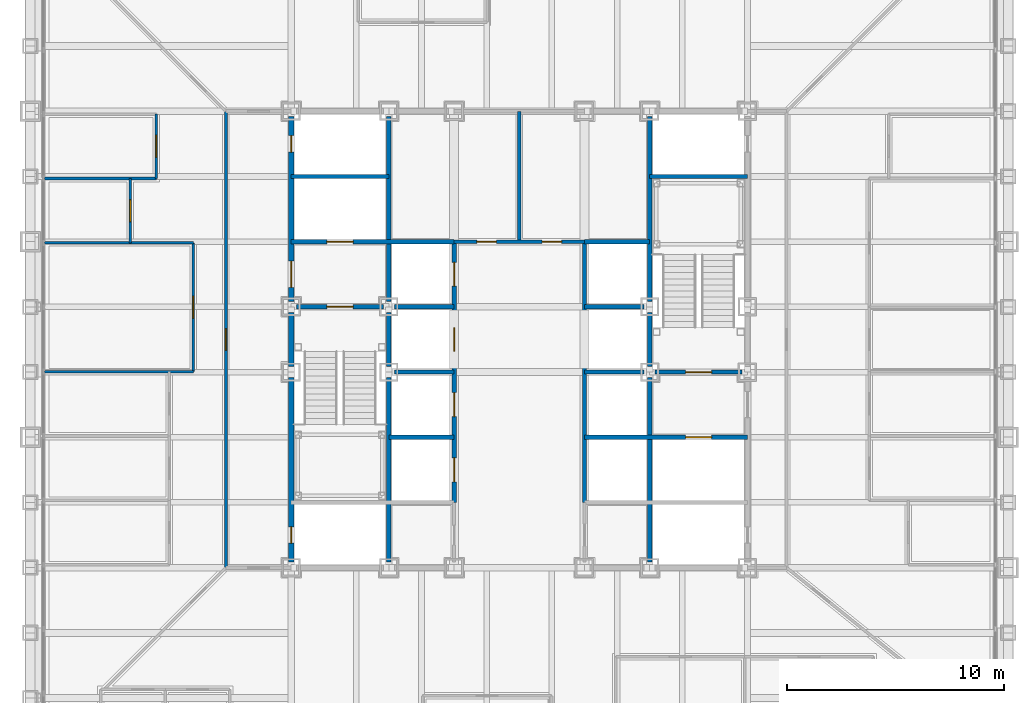
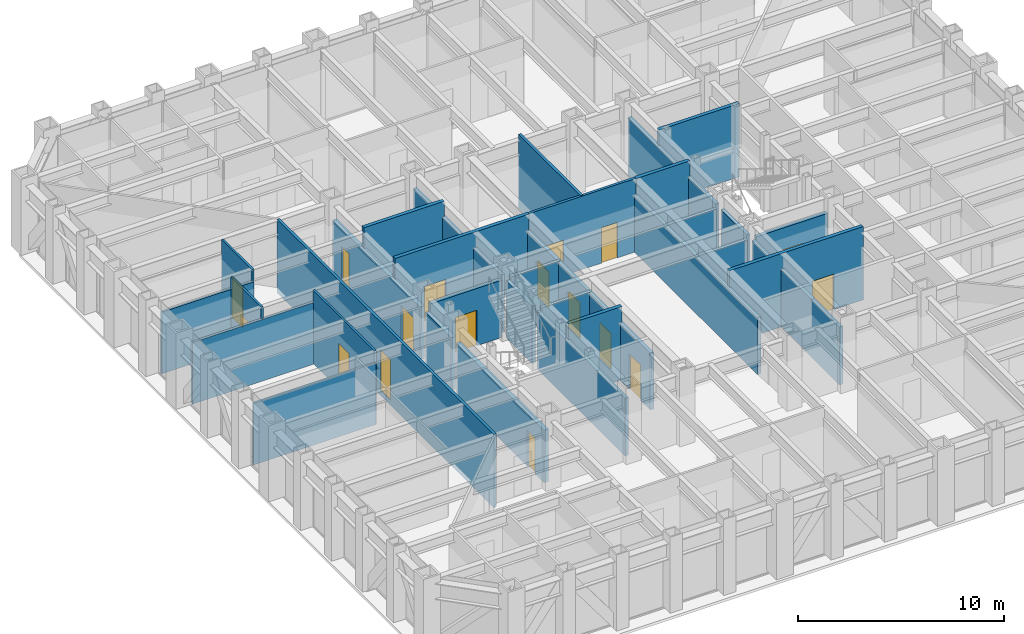
# One storey, part 9 of 17: 32 walls, 17 doors, 17 openings.
"""IFC4 building model written with IfcOpenShell, lengths in metres."""

from ifc_helpers import new_model, si_unit, direction, frame, frame_2d, origin, place, context, subcontext, project, spatial, rectangle, extrude, material, layer, layer_set, type_object, element, fill, save


model = new_model("IFC4")

# Units and contexts
model_context = context("Model", 3, precision=1e-05, world=origin(), true_north=direction((0.0, 1.0)))
body_context = subcontext(model_context, "Body", "Model", "MODEL_VIEW")
ifc_project = project(units=[si_unit("LENGTHUNIT", "METRE"), si_unit("AREAUNIT", "SQUARE_METRE"), si_unit("VOLUMEUNIT", "CUBIC_METRE"), si_unit("PLANEANGLEUNIT", "RADIAN"), si_unit("MASSUNIT", "GRAM", prefix="KILO")], contexts=[model_context])

# Site, building, storey
site_placement = place(None, origin())
site = spatial("IfcSite", under=ifc_project, at=site_placement, CompositionType="ELEMENT")
building_placement = place(site_placement, origin())
building = spatial("IfcBuilding", under=site, at=building_placement, Name="Chuquiago Exchange Tower", CompositionType="ELEMENT")
storey_placement = place(building_placement, frame((0.0, 0.0, 37.800048828125)))
storey = spatial("IfcBuildingStorey", under=building, at=storey_placement, Name="L07", CompositionType="ELEMENT", Elevation=37.800048828125)

# Wall, opening, door
ifc_material_1 = material(Name="Concrete masonry, fully grouted", Category="masonry")
ifc_layer_1 = layer(ifc_material_1, 0.25)
ifc_layer_set_1 = layer_set([ifc_layer_1], Name="W1 core wall 250")
wall_type_1 = type_object("IfcWallType", Name="W1 core wall 250", PredefinedType="SOLIDWALL", material=ifc_layer_set_1)
wall_1_placement = place(storey_placement, frame((12.0, 12.25, 0.0), z_axis=(0.0, 0.0, 1.0), x_axis=(0.0, 1.0, 0.0)))
wall_1 = element("IfcWall", 1, at=wall_1_placement, inside=storey, type_object=wall_type_1, Name="CW-L07-00-0", PredefinedType="SOLIDWALL", context=body_context, shape_type="SweptSolid", body=[
    extrude(rectangle(XDim=8.5, YDim=0.25, at=frame_2d((4.25, 0.0))), origin(), (0.0, 0.0, 1.0), 3.11279296875),
])
opening_1_placement = place(wall_1_placement, frame((0.875, 0.0, 0.0)))
opening_1 = element("IfcOpeningElement", 2, at=opening_1_placement, cuts=wall_1, Name="Opening L07-007", PredefinedType="OPENING", context=body_context, shape_type="SweptSolid", body=[
    extrude(rectangle(XDim=0.75, YDim=2.10009765625, at=frame_2d((0.375, 1.050048828125))), frame((0.0, 0.135009765625, 0.0), z_axis=(0.0, -1.0, 0.0), x_axis=(1.0, 0.0, 0.0)), (0.0, 0.0, 1.0), 0.27001953125),
])
ifc_material_2 = material(Name="Steel door, painted", Category="steel")
door_type_1 = type_object("IfcDoorType", Name="D6 riser access door 750x2100", OperationType="SINGLE_SWING_LEFT", PredefinedType="DOOR", material=ifc_material_2)
door_1_placement = place(opening_1_placement, origin())
door_1 = element("IfcDoor", 3, at=door_1_placement, inside=storey, type_object=door_type_1, Name="Riser RW1 door", OperationType="SINGLE_SWING_LEFT", OverallHeight=2.10009765625, OverallWidth=0.75, PredefinedType="DOOR", context=body_context, shape_type="SweptSolid", body=[
    extrude(rectangle(XDim=0.75, YDim=2.10009765625, at=frame_2d((0.375, 1.050048828125))), frame((0.0, 0.02490234375, 0.0), z_axis=(0.0, -1.0, 0.0), x_axis=(1.0, 0.0, 0.0)), (0.0, 0.0, 1.0), 0.050048828125),
])
fill(opening_1, door_1)

# Wall
wall_2_placement = place(storey_placement, frame((12.0, 21.25, 0.0), z_axis=(0.0, 0.0, 1.0), x_axis=(0.0, 1.0, 0.0)))
element("IfcWall", 4, at=wall_2_placement, inside=storey, type_object=wall_type_1, Name="CW-L07-00-1", PredefinedType="SOLIDWALL", context=body_context, shape_type="SweptSolid", body=[
    extrude(rectangle(XDim=2.5, YDim=0.25, at=frame_2d((1.25, 0.0))), origin(), (0.0, 0.0, 1.0), 3.11279296875),
])

# Wall, openings, doors
wall_3_placement = place(storey_placement, frame((12.0, 24.25, 0.0), z_axis=(0.0, 0.0, 1.0), x_axis=(0.0, 1.0, 0.0)))
wall_3 = element("IfcWall", 5, at=wall_3_placement, inside=storey, type_object=wall_type_1, Name="CW-L07-00-2", PredefinedType="SOLIDWALL", context=body_context, shape_type="SweptSolid", body=[
    extrude(rectangle(XDim=8.5, YDim=0.25, at=frame_2d((4.25, 0.0))), origin(), (0.0, 0.0, 1.0), 3.11279296875),
])
opening_2_placement = place(wall_3_placement, frame((0.64990234375, 0.0, 0.0)))
opening_2 = element("IfcOpeningElement", 6, at=opening_2_placement, cuts=wall_3, Name="Opening L07-002", PredefinedType="OPENING", context=body_context, shape_type="SweptSolid", body=[
    extrude(rectangle(XDim=1.199951171875, YDim=2.10009765625, at=frame_2d((0.60009765625, 1.050048828125))), frame((0.0, 0.135009765625, 0.0), z_axis=(0.0, -1.0, 0.0), x_axis=(1.0, 0.0, 0.0)), (0.0, 0.0, 1.0), 0.27001953125),
])
opening_3_placement = place(wall_3_placement, frame((6.875, 0.0, 0.0)))
opening_3 = element("IfcOpeningElement", 7, at=opening_3_placement, cuts=wall_3, Name="Opening L07-008", PredefinedType="OPENING", context=body_context, shape_type="SweptSolid", body=[
    extrude(rectangle(XDim=0.75, YDim=2.10009765625, at=frame_2d((0.375, 1.050048828125))), frame((0.0, 0.135009765625, 0.0), z_axis=(0.0, -1.0, 0.0), x_axis=(1.0, 0.0, 0.0)), (0.0, 0.0, 1.0), 0.27001953125),
])
ifc_material_3 = material(Name="Steel door, painted", Category="steel")
door_type_2 = type_object("IfcDoorType", Name="D5 firefighting lobby door 1200x2100", OperationType="SINGLE_SWING_LEFT", PredefinedType="DOOR", material=ifc_material_3)
door_2_placement = place(opening_2_placement, frame((1.199951171875, 0.0, 0.0), z_axis=(0.0, 0.0, 1.0), x_axis=(-1.0, 0.0, 0.0)))
door_2 = element("IfcDoor", 8, at=door_2_placement, inside=storey, type_object=door_type_2, Name="Firefighting lobby 1 door", OperationType="SINGLE_SWING_RIGHT", OverallHeight=2.10009765625, OverallWidth=1.199951171875, PredefinedType="DOOR", context=body_context, shape_type="SweptSolid", body=[
    extrude(rectangle(XDim=1.199951171875, YDim=2.10009765625, at=frame_2d((0.60009765625, 1.050048828125))), frame((0.0, 0.02490234375, 0.0), z_axis=(0.0, -1.0, 0.0), x_axis=(1.0, 0.0, 0.0)), (0.0, 0.0, 1.0), 0.050048828125),
])
fill(opening_2, door_2)
door_3_placement = place(opening_3_placement, origin())
door_3 = element("IfcDoor", 9, at=door_3_placement, inside=storey, type_object=door_type_1, Name="Riser RW2 door", OperationType="SINGLE_SWING_RIGHT", OverallHeight=2.10009765625, OverallWidth=0.75, PredefinedType="DOOR", context=body_context, shape_type="SweptSolid", body=[
    extrude(rectangle(XDim=0.75, YDim=2.10009765625, at=frame_2d((0.375, 1.050048828125))), frame((0.0, 0.02490234375, 0.0), z_axis=(0.0, -1.0, 0.0), x_axis=(1.0, 0.0, 0.0)), (0.0, 0.0, 1.0), 0.050048828125),
])
fill(opening_3, door_3)

# Wall, opening, door
ifc_material_4 = material(Name="Gypsum board on steel studs, acoustic insulation", Category="steel")
ifc_layer_2 = layer(ifc_material_4, 0.14990234375)
ifc_layer_set_2 = layer_set([ifc_layer_2], Name="W11 corridor wall 150")
wall_type_2 = type_object("IfcWallType", Name="W11 corridor wall 150", PredefinedType="PARTITIONING", material=ifc_layer_set_2)
wall_4_placement = place(storey_placement, frame((9.0, 12.0, -0.300048828125), z_axis=(0.0, 0.0, 1.0), x_axis=(0.0, 1.0, 0.0)))
wall_4 = element("IfcWall", 10, at=wall_4_placement, inside=storey, type_object=wall_type_2, Name="PW-L07-GW0", PredefinedType="PARTITIONING", context=body_context, shape_type="SweptSolid", body=[
    extrude(rectangle(XDim=21.0, YDim=0.14990234375, at=frame_2d((10.5, 0.0))), origin(), (0.0, 0.0, 1.0), 4.340087890625),
])
opening_4_placement = place(wall_4_placement, frame((10.0, 0.0, 0.300048828125)))
opening_4 = element("IfcOpeningElement", 11, at=opening_4_placement, cuts=wall_4, Name="Opening L07-050", PredefinedType="OPENING", context=body_context, shape_type="SweptSolid", body=[
    extrude(rectangle(XDim=1.0, YDim=2.39990234375, at=frame_2d((0.5, 1.199951171875))), frame((0.0, 0.0849609375, 0.0), z_axis=(0.0, -1.0, 0.0), x_axis=(1.0, 0.0, 0.0)), (0.0, 0.0, 1.0), 0.169921875),
])
ifc_material_5 = material(Name="Timber door, laminate faced", Category="wood")
door_type_3 = type_object("IfcDoorType", Name="D9 room door 1000x2400", OperationType="SINGLE_SWING_LEFT", PredefinedType="DOOR", material=ifc_material_5)
door_4_placement = place(opening_4_placement, origin())
door_4 = element("IfcDoor", 12, at=door_4_placement, inside=storey, type_object=door_type_3, Name="Team area door", OperationType="SINGLE_SWING_LEFT", OverallHeight=2.39990234375, OverallWidth=1.0, PredefinedType="DOOR", context=body_context, shape_type="SweptSolid", body=[
    extrude(rectangle(XDim=1.0, YDim=2.39990234375, at=frame_2d((0.5, 1.199951171875))), frame((0.0, 0.02490234375, 0.0), z_axis=(0.0, -1.0, 0.0), x_axis=(1.0, 0.0, 0.0)), (0.0, 0.0, 1.0), 0.050048828125),
])
fill(opening_4, door_4)

ifc_material_6 = material(Name="Concrete masonry, fully grouted", Category="masonry")
ifc_layer_3 = layer(ifc_material_6, 0.199951171875)
ifc_layer_set_3 = layer_set([ifc_layer_3], Name="W2 shaft wall 200")
wall_type_3 = type_object("IfcWallType", Name="W2 shaft wall 200", PredefinedType="SOLIDWALL", material=ifc_layer_set_3)
wall_5_placement = place(storey_placement, frame((12.25, 24.0, 0.0), z_axis=(0.0, 0.0, 1.0), x_axis=(1.0, 0.0, 0.0)))
wall_5 = element("IfcWall", 13, at=wall_5_placement, inside=storey, type_object=wall_type_3, Name="CW-L07-05-0", PredefinedType="SOLIDWALL", context=body_context, shape_type="SweptSolid", body=[
    extrude(rectangle(XDim=4.0, YDim=0.199951171875, at=frame_2d((2.0, 0.0))), origin(), (0.0, 0.0, 1.0), 3.389892578125),
])
opening_5_placement = place(wall_5_placement, frame((1.39990234375, 0.0, 0.0)))
opening_5 = element("IfcOpeningElement", 14, at=opening_5_placement, cuts=wall_5, Name="Opening L07-001", PredefinedType="OPENING", context=body_context, shape_type="SweptSolid", body=[
    extrude(rectangle(XDim=1.199951171875, YDim=2.10009765625, at=frame_2d((0.60009765625, 1.050048828125))), frame((0.0, 0.10986328125, 0.0), z_axis=(0.0, -1.0, 0.0), x_axis=(1.0, 0.0, 0.0)), (0.0, 0.0, 1.0), 0.219970703125),
])
ifc_material_7 = material(Name="Steel door, painted", Category="steel")
door_type_4 = type_object("IfcDoorType", Name="D4 stair door 1200x2100", OperationType="SINGLE_SWING_LEFT", PredefinedType="DOOR", material=ifc_material_7)
door_5_placement = place(opening_5_placement, frame((1.199951171875, 0.0, 0.0), z_axis=(0.0, 0.0, 1.0), x_axis=(-1.0, 0.0, 0.0)))
door_5 = element("IfcDoor", 15, at=door_5_placement, inside=storey, type_object=door_type_4, Name="Stair ST1 door", OperationType="SINGLE_SWING_RIGHT", OverallHeight=2.10009765625, OverallWidth=1.199951171875, PredefinedType="DOOR", context=body_context, shape_type="SweptSolid", body=[
    extrude(rectangle(XDim=1.199951171875, YDim=2.10009765625, at=frame_2d((0.60009765625, 1.050048828125))), frame((0.0, 0.02490234375, 0.0), z_axis=(0.0, -1.0, 0.0), x_axis=(1.0, 0.0, 0.0)), (0.0, 0.0, 1.0), 0.050048828125),
])
fill(opening_5, door_5)

# Walls
for number, where, z_axis, x_axis, name in (
    (16, (16.75, 24.0, 0.0), (0.0, 0.0, 1.0), (1.0, 0.0, 0.0), "CW-L07-05-1"),
    (17, (25.5, 24.0, 0.0), (0.0, 0.0, 1.0), (1.0, 0.0, 0.0), "CW-L07-06-0"),
):
    element("IfcWall", number, at=place(storey_placement, frame(where, z_axis=z_axis, x_axis=x_axis)), inside=storey, type_object=wall_type_3, Name=name, PredefinedType="SOLIDWALL", context=body_context, shape_type="SweptSolid", body=[
        extrude(rectangle(XDim=2.75, YDim=0.199951171875, at=frame_2d((1.375, 0.0))), origin(), (0.0, 0.0, 1.0), 3.389892578125),
    ])

# Wall, opening, door
wall_6_placement = place(storey_placement, frame((12.0, 27.0, 0.0), z_axis=(0.0, 0.0, 1.0), x_axis=(1.0, 0.0, 0.0)))
wall_6 = element("IfcWall", 18, at=wall_6_placement, inside=storey, type_object=wall_type_3, Name="CW-L07-07-0", PredefinedType="SOLIDWALL", context=body_context, shape_type="SweptSolid", body=[
    extrude(rectangle(XDim=7.5, YDim=0.199951171875, at=frame_2d((3.75, 0.0))), origin(), (0.0, 0.0, 1.0), 4.33984375),
])
opening_6_placement = place(wall_6_placement, frame((1.64990234375, 0.0, 0.0)))
opening_6 = element("IfcOpeningElement", 19, at=opening_6_placement, cuts=wall_6, Name="Opening L07-005", PredefinedType="OPENING", context=body_context, shape_type="SweptSolid", body=[
    extrude(rectangle(XDim=1.199951171875, YDim=2.10009765625, at=frame_2d((0.60009765625, 1.050048828125))), frame((0.0, 0.10986328125, 0.0), z_axis=(0.0, -1.0, 0.0), x_axis=(1.0, 0.0, 0.0)), (0.0, 0.0, 1.0), 0.219970703125),
])
ifc_material_8 = material(Name="Stainless steel lift landing door", Category="steel")
door_type_5 = type_object("IfcDoorType", Name="LD2 firefighting lift landing door 1200x2100", OperationType="DOUBLE_DOOR_SLIDING", PredefinedType="DOOR", material=ifc_material_8)
door_6_placement = place(opening_6_placement, origin())
door_6 = element("IfcDoor", 20, at=door_6_placement, inside=storey, type_object=door_type_5, Name="Firefighting lift FL1 landing door", OperationType="DOUBLE_DOOR_SLIDING", OverallHeight=2.10009765625, OverallWidth=1.199951171875, PredefinedType="DOOR", context=body_context, shape_type="SweptSolid", body=[
    extrude(rectangle(XDim=1.199951171875, YDim=2.10009765625, at=frame_2d((0.60009765625, 1.050048828125))), frame((0.0, 0.02490234375, 0.0), z_axis=(0.0, -1.0, 0.0), x_axis=(1.0, 0.0, 0.0)), (0.0, 0.0, 1.0), 0.050048828125),
])
fill(opening_6, door_6)

# Walls
wall_7_placement = place(storey_placement, frame((25.5, 27.0, 0.0), z_axis=(0.0, 0.0, 1.0), x_axis=(1.0, 0.0, 0.0)))
element("IfcWall", 21, at=wall_7_placement, inside=storey, type_object=wall_type_3, Name="CW-L07-08-0", PredefinedType="SOLIDWALL", context=body_context, shape_type="SweptSolid", body=[
    extrude(rectangle(XDim=3.0, YDim=0.199951171875, at=frame_2d((1.5, 0.0))), origin(), (0.0, 0.0, 1.0), 4.33984375),
])
for number, where, z_axis, x_axis, name in (
    (22, (12.0, 30.0, 0.0), (0.0, 0.0, 1.0), (1.0, 0.0, 0.0), "CW-L07-09-0"),
    (23, (28.5, 30.0, 0.0), (0.0, 0.0, 1.0), (1.0, 0.0, 0.0), "CW-L07-10-0"),
):
    element("IfcWall", number, at=place(storey_placement, frame(where, z_axis=z_axis, x_axis=x_axis)), inside=storey, type_object=wall_type_3, Name=name, PredefinedType="SOLIDWALL", context=body_context, shape_type="SweptSolid", body=[
        extrude(rectangle(XDim=4.5, YDim=0.199951171875, at=frame_2d((2.25, 0.0))), origin(), (0.0, 0.0, 1.0), 4.33984375),
    ])
wall_8_placement = place(storey_placement, frame((16.5, 12.25, 0.0), z_axis=(0.0, 0.0, 1.0), x_axis=(0.0, 1.0, 0.0)))
element("IfcWall", 24, at=wall_8_placement, inside=storey, type_object=wall_type_3, Name="CW-L07-13-0", PredefinedType="SOLIDWALL", context=body_context, shape_type="SweptSolid", body=[
    extrude(rectangle(XDim=8.5, YDim=0.199951171875, at=frame_2d((4.25, 0.0))), origin(), (0.0, 0.0, 1.0), 3.412841796875),
])
wall_9_placement = place(storey_placement, frame((16.5, 21.25, 0.0), z_axis=(0.0, 0.0, 1.0), x_axis=(0.0, 1.0, 0.0)))
element("IfcWall", 25, at=wall_9_placement, inside=storey, type_object=wall_type_3, Name="CW-L07-13-1", PredefinedType="SOLIDWALL", context=body_context, shape_type="SweptSolid", body=[
    extrude(rectangle(XDim=2.5, YDim=0.199951171875, at=frame_2d((1.25, 0.0))), origin(), (0.0, 0.0, 1.0), 3.412841796875),
])
wall_10_placement = place(storey_placement, frame((16.5, 24.25, 0.0), z_axis=(0.0, 0.0, 1.0), x_axis=(0.0, 1.0, 0.0)))
element("IfcWall", 26, at=wall_10_placement, inside=storey, type_object=wall_type_3, Name="CW-L07-13-2", PredefinedType="SOLIDWALL", context=body_context, shape_type="SweptSolid", body=[
    extrude(rectangle(XDim=8.5, YDim=0.199951171875, at=frame_2d((4.25, 0.0))), origin(), (0.0, 0.0, 1.0), 3.412841796875),
])
wall_11_placement = place(storey_placement, frame((16.5, 18.0, 0.0), z_axis=(0.0, 0.0, 1.0), x_axis=(1.0, 0.0, 0.0)))
element("IfcWall", 27, at=wall_11_placement, inside=storey, type_object=wall_type_3, Name="CW-L07-14-0", PredefinedType="SOLIDWALL", context=body_context, shape_type="SweptSolid", body=[
    extrude(rectangle(XDim=3.0, YDim=0.199951171875, at=frame_2d((1.5, 0.0))), origin(), (0.0, 0.0, 1.0), 4.33984375),
])

# Wall, opening, door
wall_12_placement = place(storey_placement, frame((25.5, 18.0, 0.0), z_axis=(0.0, 0.0, 1.0), x_axis=(1.0, 0.0, 0.0)))
wall_12 = element("IfcWall", 28, at=wall_12_placement, inside=storey, type_object=wall_type_3, Name="CW-L07-15-0", PredefinedType="SOLIDWALL", context=body_context, shape_type="SweptSolid", body=[
    extrude(rectangle(XDim=7.5, YDim=0.199951171875, at=frame_2d((3.75, 0.0))), origin(), (0.0, 0.0, 1.0), 4.33984375),
])
opening_7_placement = place(wall_12_placement, frame((4.64990234375, 0.0, 0.0)))
opening_7 = element("IfcOpeningElement", 29, at=opening_7_placement, cuts=wall_12, Name="Opening L07-006", PredefinedType="OPENING", context=body_context, shape_type="SweptSolid", body=[
    extrude(rectangle(XDim=1.199951171875, YDim=2.10009765625, at=frame_2d((0.60009765625, 1.050048828125))), frame((0.0, 0.10986328125, 0.0), z_axis=(0.0, -1.0, 0.0), x_axis=(1.0, 0.0, 0.0)), (0.0, 0.0, 1.0), 0.219970703125),
])
door_7_placement = place(opening_7_placement, origin())
door_7 = element("IfcDoor", 30, at=door_7_placement, inside=storey, type_object=door_type_5, Name="Firefighting lift FL2 landing door", OperationType="DOUBLE_DOOR_SLIDING", OverallHeight=2.10009765625, OverallWidth=1.199951171875, PredefinedType="DOOR", context=body_context, shape_type="SweptSolid", body=[
    extrude(rectangle(XDim=1.199951171875, YDim=2.10009765625, at=frame_2d((0.60009765625, 1.050048828125))), frame((0.0, 0.02490234375, 0.0), z_axis=(0.0, -1.0, 0.0), x_axis=(1.0, 0.0, 0.0)), (0.0, 0.0, 1.0), 0.050048828125),
])
fill(opening_7, door_7)

# Walls
for number, where, z_axis, x_axis, name in (
    (31, (16.75, 21.0, 0.0), (0.0, 0.0, 1.0), (1.0, 0.0, 0.0), "CW-L07-16-0"),
    (32, (25.5, 21.0, 0.0), (0.0, 0.0, 1.0), (1.0, 0.0, 0.0), "CW-L07-17-0"),
):
    element("IfcWall", number, at=place(storey_placement, frame(where, z_axis=z_axis, x_axis=x_axis)), inside=storey, type_object=wall_type_3, Name=name, PredefinedType="SOLIDWALL", context=body_context, shape_type="SweptSolid", body=[
        extrude(rectangle(XDim=2.75, YDim=0.199951171875, at=frame_2d((1.375, 0.0))), origin(), (0.0, 0.0, 1.0), 3.389892578125),
    ])

# Wall, opening, door
wall_13_placement = place(storey_placement, frame((28.75, 21.0, 0.0), z_axis=(0.0, 0.0, 1.0), x_axis=(1.0, 0.0, 0.0)))
wall_13 = element("IfcWall", 33, at=wall_13_placement, inside=storey, type_object=wall_type_3, Name="CW-L07-17-1", PredefinedType="SOLIDWALL", context=body_context, shape_type="SweptSolid", body=[
    extrude(rectangle(XDim=4.0, YDim=0.199951171875, at=frame_2d((2.0, 0.0))), origin(), (0.0, 0.0, 1.0), 3.389892578125),
])
opening_8_placement = place(wall_13_placement, frame((1.39990234375, 0.0, 0.0)))
opening_8 = element("IfcOpeningElement", 34, at=opening_8_placement, cuts=wall_13, Name="Opening L07-003", PredefinedType="OPENING", context=body_context, shape_type="SweptSolid", body=[
    extrude(rectangle(XDim=1.199951171875, YDim=2.10009765625, at=frame_2d((0.60009765625, 1.050048828125))), frame((0.0, 0.10986328125, 0.0), z_axis=(0.0, -1.0, 0.0), x_axis=(1.0, 0.0, 0.0)), (0.0, 0.0, 1.0), 0.219970703125),
])
door_8_placement = place(opening_8_placement, origin())
door_8 = element("IfcDoor", 35, at=door_8_placement, inside=storey, type_object=door_type_4, Name="Stair ST2 door", OperationType="SINGLE_SWING_LEFT", OverallHeight=2.10009765625, OverallWidth=1.199951171875, PredefinedType="DOOR", context=body_context, shape_type="SweptSolid", body=[
    extrude(rectangle(XDim=1.199951171875, YDim=2.10009765625, at=frame_2d((0.60009765625, 1.050048828125))), frame((0.0, 0.02490234375, 0.0), z_axis=(0.0, -1.0, 0.0), x_axis=(1.0, 0.0, 0.0)), (0.0, 0.0, 1.0), 0.050048828125),
])
fill(opening_8, door_8)

# Wall, openings, doors
wall_14_placement = place(storey_placement, frame((19.5, 15.0, 0.0), z_axis=(0.0, 0.0, 1.0), x_axis=(0.0, 1.0, 0.0)))
wall_14 = element("IfcWall", 36, at=wall_14_placement, inside=storey, type_object=wall_type_3, Name="CW-L07-19-0", PredefinedType="SOLIDWALL", context=body_context, shape_type="SweptSolid", body=[
    extrude(rectangle(XDim=12.0, YDim=0.199951171875, at=frame_2d((6.0, 0.0))), origin(), (0.0, 0.0, 1.0), 3.364501953125),
])
opening_9_placement = place(wall_14_placement, frame((0.949951171875, 0.0, 0.0)))
opening_9 = element("IfcOpeningElement", 37, at=opening_9_placement, cuts=wall_14, Name="Opening L07-015", PredefinedType="OPENING", context=body_context, shape_type="SweptSolid", body=[
    extrude(rectangle(XDim=1.10009765625, YDim=2.10009765625, at=frame_2d((0.550048828125, 1.050048828125))), frame((0.0, 0.10986328125, 0.0), z_axis=(0.0, -1.0, 0.0), x_axis=(1.0, 0.0, 0.0)), (0.0, 0.0, 1.0), 0.219970703125),
])
opening_10_placement = place(wall_14_placement, frame((3.949951171875, 0.0, 0.0)))
opening_10 = element("IfcOpeningElement", 38, at=opening_10_placement, cuts=wall_14, Name="Opening L07-016", PredefinedType="OPENING", context=body_context, shape_type="SweptSolid", body=[
    extrude(rectangle(XDim=1.10009765625, YDim=2.10009765625, at=frame_2d((0.550048828125, 1.050048828125))), frame((0.0, 0.10986328125, 0.0), z_axis=(0.0, -1.0, 0.0), x_axis=(1.0, 0.0, 0.0)), (0.0, 0.0, 1.0), 0.219970703125),
])
opening_11_placement = place(wall_14_placement, frame((6.949951171875, 0.0, 0.0)))
opening_11 = element("IfcOpeningElement", 39, at=opening_11_placement, cuts=wall_14, Name="Opening L07-017", PredefinedType="OPENING", context=body_context, shape_type="SweptSolid", body=[
    extrude(rectangle(XDim=1.10009765625, YDim=2.10009765625, at=frame_2d((0.550048828125, 1.050048828125))), frame((0.0, 0.10986328125, 0.0), z_axis=(0.0, -1.0, 0.0), x_axis=(1.0, 0.0, 0.0)), (0.0, 0.0, 1.0), 0.219970703125),
])
opening_12_placement = place(wall_14_placement, frame((9.949951171875, 0.0, 0.0)))
opening_12 = element("IfcOpeningElement", 40, at=opening_12_placement, cuts=wall_14, Name="Opening L07-018", PredefinedType="OPENING", context=body_context, shape_type="SweptSolid", body=[
    extrude(rectangle(XDim=1.10009765625, YDim=2.10009765625, at=frame_2d((0.550048828125, 1.050048828125))), frame((0.0, 0.10986328125, 0.0), z_axis=(0.0, -1.0, 0.0), x_axis=(1.0, 0.0, 0.0)), (0.0, 0.0, 1.0), 0.219970703125),
])
ifc_material_9 = material(Name="Stainless steel lift landing door", Category="steel")
door_type_6 = type_object("IfcDoorType", Name="LD1 lift landing door 1100x2100", OperationType="DOUBLE_DOOR_SLIDING", PredefinedType="DOOR", material=ifc_material_9)
door_9_placement = place(opening_9_placement, origin())
door_9 = element("IfcDoor", 41, at=door_9_placement, inside=storey, type_object=door_type_6, Name="Lift LA1 landing door", OperationType="DOUBLE_DOOR_SLIDING", OverallHeight=2.10009765625, OverallWidth=1.10009765625, PredefinedType="DOOR", context=body_context, shape_type="SweptSolid", body=[
    extrude(rectangle(XDim=1.10009765625, YDim=2.10009765625, at=frame_2d((0.550048828125, 1.050048828125))), frame((0.0, 0.02490234375, 0.0), z_axis=(0.0, -1.0, 0.0), x_axis=(1.0, 0.0, 0.0)), (0.0, 0.0, 1.0), 0.050048828125),
])
fill(opening_9, door_9)
door_10_placement = place(opening_10_placement, origin())
door_10 = element("IfcDoor", 42, at=door_10_placement, inside=storey, type_object=door_type_6, Name="Lift LA2 landing door", OperationType="DOUBLE_DOOR_SLIDING", OverallHeight=2.10009765625, OverallWidth=1.10009765625, PredefinedType="DOOR", context=body_context, shape_type="SweptSolid", body=[
    extrude(rectangle(XDim=1.10009765625, YDim=2.10009765625, at=frame_2d((0.550048828125, 1.050048828125))), frame((0.0, 0.02490234375, 0.0), z_axis=(0.0, -1.0, 0.0), x_axis=(1.0, 0.0, 0.0)), (0.0, 0.0, 1.0), 0.050048828125),
])
fill(opening_10, door_10)
door_11_placement = place(opening_11_placement, origin())
door_11 = element("IfcDoor", 43, at=door_11_placement, inside=storey, type_object=door_type_6, Name="Lift LA3 landing door", OperationType="DOUBLE_DOOR_SLIDING", OverallHeight=2.10009765625, OverallWidth=1.10009765625, PredefinedType="DOOR", context=body_context, shape_type="SweptSolid", body=[
    extrude(rectangle(XDim=1.10009765625, YDim=2.10009765625, at=frame_2d((0.550048828125, 1.050048828125))), frame((0.0, 0.02490234375, 0.0), z_axis=(0.0, -1.0, 0.0), x_axis=(1.0, 0.0, 0.0)), (0.0, 0.0, 1.0), 0.050048828125),
])
fill(opening_11, door_11)
door_12_placement = place(opening_12_placement, origin())
door_12 = element("IfcDoor", 44, at=door_12_placement, inside=storey, type_object=door_type_6, Name="Lift LA4 landing door", OperationType="DOUBLE_DOOR_SLIDING", OverallHeight=2.10009765625, OverallWidth=1.10009765625, PredefinedType="DOOR", context=body_context, shape_type="SweptSolid", body=[
    extrude(rectangle(XDim=1.10009765625, YDim=2.10009765625, at=frame_2d((0.550048828125, 1.050048828125))), frame((0.0, 0.02490234375, 0.0), z_axis=(0.0, -1.0, 0.0), x_axis=(1.0, 0.0, 0.0)), (0.0, 0.0, 1.0), 0.050048828125),
])
fill(opening_12, door_12)

# Walls
wall_15_placement = place(storey_placement, frame((25.5, 15.0, 0.0), z_axis=(0.0, 0.0, 1.0), x_axis=(0.0, 1.0, 0.0)))
element("IfcWall", 45, at=wall_15_placement, inside=storey, type_object=wall_type_3, Name="CW-L07-22-0", PredefinedType="SOLIDWALL", context=body_context, shape_type="SweptSolid", body=[
    extrude(rectangle(XDim=12.0, YDim=0.199951171875, at=frame_2d((6.0, 0.0))), origin(), (0.0, 0.0, 1.0), 3.364501953125),
])
wall_16_placement = place(storey_placement, frame((28.5, 12.25, 0.0), z_axis=(0.0, 0.0, 1.0), x_axis=(0.0, 1.0, 0.0)))
element("IfcWall", 46, at=wall_16_placement, inside=storey, type_object=wall_type_3, Name="CW-L07-24-0", PredefinedType="SOLIDWALL", context=body_context, shape_type="SweptSolid", body=[
    extrude(rectangle(XDim=8.5, YDim=0.199951171875, at=frame_2d((4.25, 0.0))), origin(), (0.0, 0.0, 1.0), 3.412841796875),
])
wall_17_placement = place(storey_placement, frame((28.5, 21.25, 0.0), z_axis=(0.0, 0.0, 1.0), x_axis=(0.0, 1.0, 0.0)))
element("IfcWall", 47, at=wall_17_placement, inside=storey, type_object=wall_type_3, Name="CW-L07-24-1", PredefinedType="SOLIDWALL", context=body_context, shape_type="SweptSolid", body=[
    extrude(rectangle(XDim=2.5, YDim=0.199951171875, at=frame_2d((1.25, 0.0))), origin(), (0.0, 0.0, 1.0), 3.412841796875),
])
wall_18_placement = place(storey_placement, frame((28.5, 24.25, 0.0), z_axis=(0.0, 0.0, 1.0), x_axis=(0.0, 1.0, 0.0)))
element("IfcWall", 48, at=wall_18_placement, inside=storey, type_object=wall_type_3, Name="CW-L07-24-2", PredefinedType="SOLIDWALL", context=body_context, shape_type="SweptSolid", body=[
    extrude(rectangle(XDim=8.5, YDim=0.199951171875, at=frame_2d((4.25, 0.0))), origin(), (0.0, 0.0, 1.0), 3.412841796875),
])

# Wall, openings, doors
ifc_material_10 = material(Name="Gypsum board on steel studs", Category="steel")
ifc_layer_4 = layer(ifc_material_10, 0.14990234375)
ifc_layer_set_4 = layer_set([ifc_layer_4], Name="W3 core partition 150")
wall_type_4 = type_object("IfcWallType", Name="W3 core partition 150", PredefinedType="PARTITIONING", material=ifc_layer_set_4)
wall_19_placement = place(storey_placement, frame((19.5, 27.0, 0.0), z_axis=(0.0, 0.0, 1.0), x_axis=(1.0, 0.0, 0.0)))
wall_19 = element("IfcWall", 49, at=wall_19_placement, inside=storey, type_object=wall_type_4, Name="CW-L07-TF", PredefinedType="PARTITIONING", context=body_context, shape_type="SweptSolid", body=[
    extrude(rectangle(XDim=6.0, YDim=0.14990234375, at=frame_2d((3.0, 0.0))), origin(), (0.0, 0.0, 1.0), 4.33984375),
])
opening_13_placement = place(wall_19_placement, frame((1.050048828125, 0.0, 0.0)))
opening_13 = element("IfcOpeningElement", 50, at=opening_13_placement, cuts=wall_19, Name="Opening L07-011", PredefinedType="OPENING", context=body_context, shape_type="SweptSolid", body=[
    extrude(rectangle(XDim=0.89990234375, YDim=2.10009765625, at=frame_2d((0.449951171875, 1.050048828125))), frame((0.0, 0.0849609375, 0.0), z_axis=(0.0, -1.0, 0.0), x_axis=(1.0, 0.0, 0.0)), (0.0, 0.0, 1.0), 0.169921875),
])
opening_14_placement = place(wall_19_placement, frame((4.050048828125, 0.0, 0.0)))
opening_14 = element("IfcOpeningElement", 51, at=opening_14_placement, cuts=wall_19, Name="Opening L07-012", PredefinedType="OPENING", context=body_context, shape_type="SweptSolid", body=[
    extrude(rectangle(XDim=0.89990234375, YDim=2.10009765625, at=frame_2d((0.449951171875, 1.050048828125))), frame((0.0, 0.0849609375, 0.0), z_axis=(0.0, -1.0, 0.0), x_axis=(1.0, 0.0, 0.0)), (0.0, 0.0, 1.0), 0.169921875),
])
ifc_material_11 = material(Name="Timber door, laminate faced", Category="wood")
door_type_7 = type_object("IfcDoorType", Name="D7 toilet door 900x2100", OperationType="SINGLE_SWING_LEFT", PredefinedType="DOOR", material=ifc_material_11)
door_13_placement = place(opening_13_placement, origin())
door_13 = element("IfcDoor", 52, at=door_13_placement, inside=storey, type_object=door_type_7, Name="Male WC door", OperationType="SINGLE_SWING_RIGHT", OverallHeight=2.10009765625, OverallWidth=0.89990234375, PredefinedType="DOOR", context=body_context, shape_type="SweptSolid", body=[
    extrude(rectangle(XDim=0.89990234375, YDim=2.10009765625, at=frame_2d((0.449951171875, 1.050048828125))), frame((0.0, 0.02490234375, 0.0), z_axis=(0.0, -1.0, 0.0), x_axis=(1.0, 0.0, 0.0)), (0.0, 0.0, 1.0), 0.050048828125),
])
fill(opening_13, door_13)
door_14_placement = place(opening_14_placement, origin())
door_14 = element("IfcDoor", 53, at=door_14_placement, inside=storey, type_object=door_type_7, Name="Female WC door", OperationType="SINGLE_SWING_LEFT", OverallHeight=2.10009765625, OverallWidth=0.89990234375, PredefinedType="DOOR", context=body_context, shape_type="SweptSolid", body=[
    extrude(rectangle(XDim=0.89990234375, YDim=2.10009765625, at=frame_2d((0.449951171875, 1.050048828125))), frame((0.0, 0.02490234375, 0.0), z_axis=(0.0, -1.0, 0.0), x_axis=(1.0, 0.0, 0.0)), (0.0, 0.0, 1.0), 0.050048828125),
])
fill(opening_14, door_14)

# Walls
wall_20_placement = place(storey_placement, frame((22.5, 27.0, 0.0), z_axis=(0.0, 0.0, 1.0), x_axis=(0.0, 1.0, 0.0)))
element("IfcWall", 54, at=wall_20_placement, inside=storey, type_object=wall_type_4, Name="CW-L07-TM", PredefinedType="PARTITIONING", context=body_context, shape_type="SweptSolid", body=[
    extrude(rectangle(XDim=6.0, YDim=0.14990234375, at=frame_2d((3.0, 0.0))), origin(), (0.0, 0.0, 1.0), 4.33984375),
])
ifc_material_12 = material(Name="Gypsum board on steel studs", Category="steel")
ifc_layer_5 = layer(ifc_material_12, 0.1201171875)
ifc_layer_set_5 = layer_set([ifc_layer_5], Name="W4 partition 120")
wall_type_5 = type_object("IfcWallType", Name="W4 partition 120", PredefinedType="PARTITIONING", material=ifc_layer_set_5)
for number, where, z_axis, x_axis, name in (
    (55, (0.657470703125, 21.01904296875, -0.300048828125), (0.0, 0.0, 1.0), (1.0, 0.0, 0.0), "PW-L07-W02102"),
    (56, (0.657470703125, 26.942626953125, -0.300048828125), (0.0, 0.0, 1.0), (1.0, 0.0, 0.0), "PW-L07-W02694"),
):
    element("IfcWall", number, at=place(storey_placement, frame(where, z_axis=z_axis, x_axis=x_axis)), inside=storey, type_object=wall_type_5, Name=name, PredefinedType="PARTITIONING", context=body_context, shape_type="SweptSolid", body=[
        extrude(rectangle(XDim=6.842529296875, YDim=0.1201171875, at=frame_2d((3.42138671875, 0.0))), origin(), (0.0, 0.0, 1.0), 3.646484375),
    ])
wall_21_placement = place(storey_placement, frame((0.657470703125, 29.904296875, -0.300048828125), z_axis=(0.0, 0.0, 1.0), x_axis=(1.0, 0.0, 0.0)))
element("IfcWall", 57, at=wall_21_placement, inside=storey, type_object=wall_type_5, Name="PW-L07-W02990", PredefinedType="PARTITIONING", context=body_context, shape_type="SweptSolid", body=[
    extrude(rectangle(XDim=5.142578125, YDim=0.1201171875, at=frame_2d((2.5712890625, 0.0))), origin(), (0.0, 0.0, 1.0), 3.646484375),
])

# Wall, opening, door
wall_22_placement = place(storey_placement, frame((7.5, 21.01904296875, -0.300048828125), z_axis=(0.0, 0.0, 1.0), x_axis=(0.0, 1.0, 0.0)))
wall_22 = element("IfcWall", 58, at=wall_22_placement, inside=storey, type_object=wall_type_5, Name="PW-L07-WF02102", PredefinedType="PARTITIONING", context=body_context, shape_type="SweptSolid", body=[
    extrude(rectangle(XDim=5.923583984375, YDim=0.1201171875, at=frame_2d((2.9619140625, 0.0))), origin(), (0.0, 0.0, 1.0), 4.340087890625),
])
opening_15_placement = place(wall_22_placement, frame((2.461669921875, 0.0, 0.300048828125)))
opening_15 = element("IfcOpeningElement", 59, at=opening_15_placement, cuts=wall_22, Name="Opening L07-047", PredefinedType="OPENING", context=body_context, shape_type="SweptSolid", body=[
    extrude(rectangle(XDim=1.0, YDim=2.39990234375, at=frame_2d((0.5, 1.199951171875))), frame((0.0, 0.070068359375, 0.0), z_axis=(0.0, -1.0, 0.0), x_axis=(1.0, 0.0, 0.0)), (0.0, 0.0, 1.0), 0.14013671875),
])
ifc_material_13 = material(Name="Timber frame door, full height glazed panel", Category="wood")
door_type_8 = type_object("IfcDoorType", Name="D14 glazed meeting room door 1000x2400", OperationType="SINGLE_SWING_LEFT", PredefinedType="DOOR", material=ifc_material_13)
door_15_placement = place(opening_15_placement, origin())
door_15 = element("IfcDoor", 60, at=door_15_placement, inside=storey, type_object=door_type_8, Name="Conference room door", OperationType="SINGLE_SWING_LEFT", OverallHeight=2.39990234375, OverallWidth=1.0, PredefinedType="DOOR", context=body_context, shape_type="SweptSolid", body=[
    extrude(rectangle(XDim=1.0, YDim=2.39990234375, at=frame_2d((0.5, 1.199951171875))), frame((0.0, 0.02490234375, 0.0), z_axis=(0.0, -1.0, 0.0), x_axis=(1.0, 0.0, 0.0)), (0.0, 0.0, 1.0), 0.050048828125),
])
fill(opening_15, door_15)

wall_23_placement = place(storey_placement, frame((4.60009765625, 26.942626953125, -0.300048828125), z_axis=(0.0, 0.0, 1.0), x_axis=(0.0, 1.0, 0.0)))
wall_23 = element("IfcWall", 61, at=wall_23_placement, inside=storey, type_object=wall_type_5, Name="PW-L07-WF02694", PredefinedType="PARTITIONING", context=body_context, shape_type="SweptSolid", body=[
    extrude(rectangle(XDim=2.961669921875, YDim=0.1201171875, at=frame_2d((1.48095703125, 0.0))), origin(), (0.0, 0.0, 1.0), 4.340087890625),
])
opening_16_placement = place(wall_23_placement, frame((0.98095703125, 0.0, 0.300048828125)))
opening_16 = element("IfcOpeningElement", 62, at=opening_16_placement, cuts=wall_23, Name="Opening L07-048", PredefinedType="OPENING", context=body_context, shape_type="SweptSolid", body=[
    extrude(rectangle(XDim=1.0, YDim=2.39990234375, at=frame_2d((0.5, 1.199951171875))), frame((0.0, 0.070068359375, 0.0), z_axis=(0.0, -1.0, 0.0), x_axis=(1.0, 0.0, 0.0)), (0.0, 0.0, 1.0), 0.14013671875),
])
door_16_placement = place(opening_16_placement, origin())
door_16 = element("IfcDoor", 63, at=door_16_placement, inside=storey, type_object=door_type_8, Name="Focus room door", OperationType="SINGLE_SWING_LEFT", OverallHeight=2.39990234375, OverallWidth=1.0, PredefinedType="DOOR", context=body_context, shape_type="SweptSolid", body=[
    extrude(rectangle(XDim=1.0, YDim=2.39990234375, at=frame_2d((0.5, 1.199951171875))), frame((0.0, 0.02490234375, 0.0), z_axis=(0.0, -1.0, 0.0), x_axis=(1.0, 0.0, 0.0)), (0.0, 0.0, 1.0), 0.050048828125),
])
fill(opening_16, door_16)

wall_24_placement = place(storey_placement, frame((5.800048828125, 29.904296875, -0.300048828125), z_axis=(0.0, 0.0, 1.0), x_axis=(0.0, 1.0, 0.0)))
wall_24 = element("IfcWall", 64, at=wall_24_placement, inside=storey, type_object=wall_type_5, Name="PW-L07-WF02990", PredefinedType="PARTITIONING", context=body_context, shape_type="SweptSolid", body=[
    extrude(rectangle(XDim=2.9619140625, YDim=0.1201171875, at=frame_2d((1.48095703125, 0.0))), origin(), (0.0, 0.0, 1.0), 4.340087890625),
])
opening_17_placement = place(wall_24_placement, frame((0.98095703125, 0.0, 0.300048828125)))
opening_17 = element("IfcOpeningElement", 65, at=opening_17_placement, cuts=wall_24, Name="Opening L07-049", PredefinedType="OPENING", context=body_context, shape_type="SweptSolid", body=[
    extrude(rectangle(XDim=1.0, YDim=2.39990234375, at=frame_2d((0.5, 1.199951171875))), frame((0.0, 0.070068359375, 0.0), z_axis=(0.0, -1.0, 0.0), x_axis=(1.0, 0.0, 0.0)), (0.0, 0.0, 1.0), 0.14013671875),
])
door_17_placement = place(opening_17_placement, origin())
door_17 = element("IfcDoor", 66, at=door_17_placement, inside=storey, type_object=door_type_8, Name="Wellness room door", OperationType="SINGLE_SWING_LEFT", OverallHeight=2.39990234375, OverallWidth=1.0, PredefinedType="DOOR", context=body_context, shape_type="SweptSolid", body=[
    extrude(rectangle(XDim=1.0, YDim=2.39990234375, at=frame_2d((0.5, 1.199951171875))), frame((0.0, 0.02490234375, 0.0), z_axis=(0.0, -1.0, 0.0), x_axis=(1.0, 0.0, 0.0)), (0.0, 0.0, 1.0), 0.050048828125),
])
fill(opening_17, door_17)

save(model, "model.ifc")
